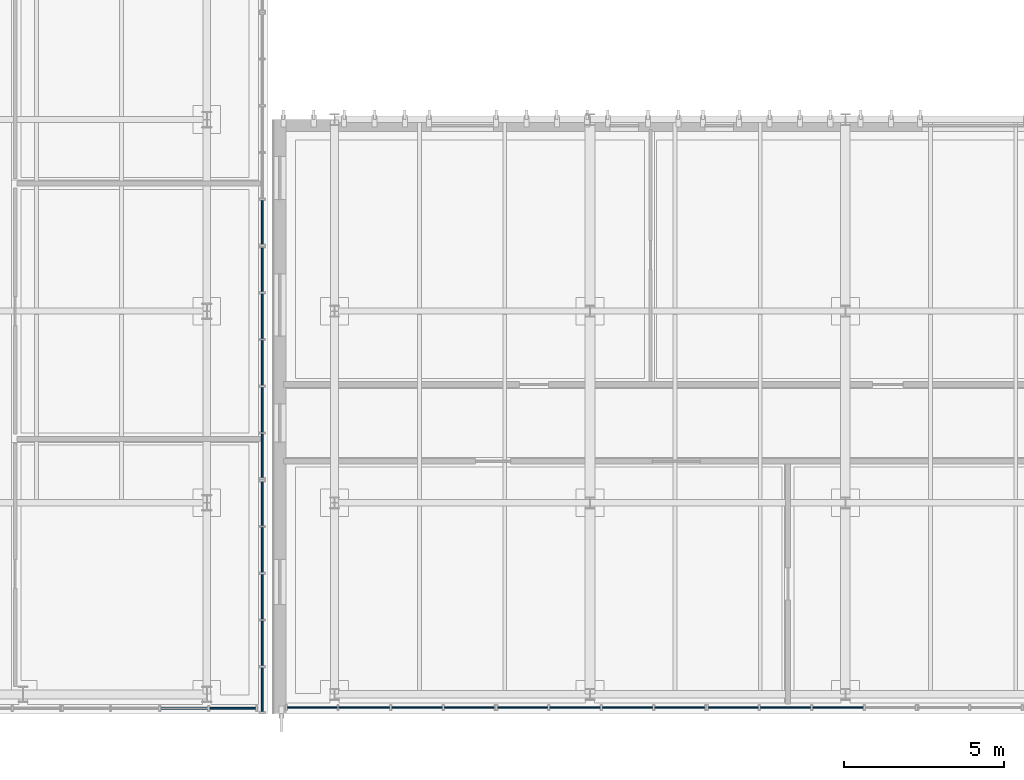
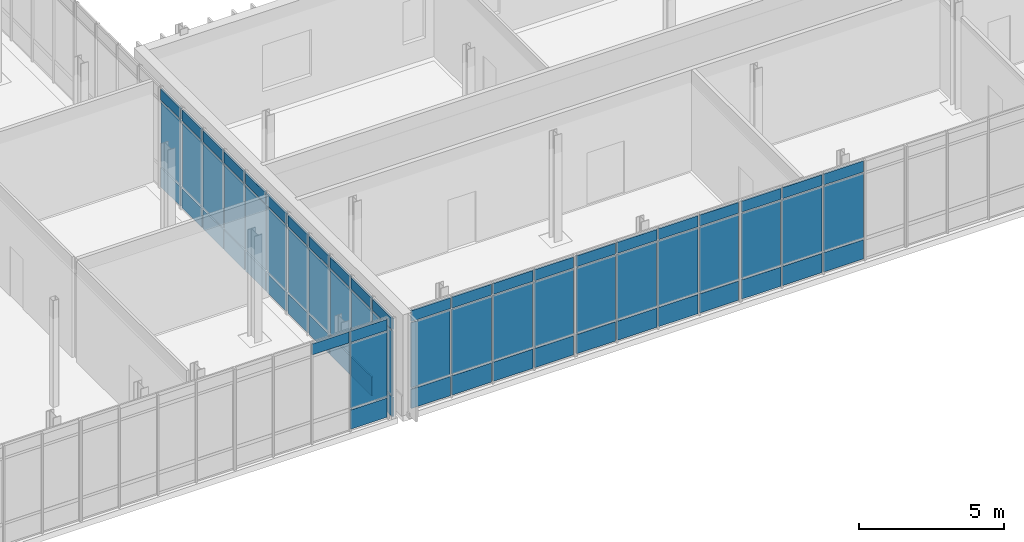
# One storey, part 54 of 100: 70 plates, 7 elements without a shape of their own.
"""IFC4 building model written with IfcOpenShell, lengths in metres."""

from ifc_helpers import new_model, si_unit, direction, frame, origin, origin_2d, place, context, subcontext, project, spatial, rectangle, extrude, material, layer, layer_set, type_object, element, aggregate, save


model = new_model("IFC4")

# Units and contexts
model_context = context("Model", 3, precision=1e-05, world=origin(), true_north=direction((0.0, 1.0)))
body_context = subcontext(model_context, "Body", "Model", "MODEL_VIEW")
ifc_project = project(units=[si_unit("LENGTHUNIT", "METRE"), si_unit("AREAUNIT", "SQUARE_METRE"), si_unit("VOLUMEUNIT", "CUBIC_METRE"), si_unit("PLANEANGLEUNIT", "RADIAN"), si_unit("MASSUNIT", "GRAM", prefix="KILO")], contexts=[model_context])

# Site, building, storey
site_placement = place(None, origin())
site = spatial("IfcSite", under=ifc_project, at=site_placement, CompositionType="ELEMENT")
building_placement = place(site_placement, origin())
building = spatial("IfcBuilding", under=site, at=building_placement, Name="Cymarion Research Institute", CompositionType="ELEMENT")
storey_placement = place(building_placement, frame((0.0, 0.0, 9.300048828125)))
storey = spatial("IfcBuildingStorey", under=building, at=storey_placement, Name="L02", CompositionType="ELEMENT", Elevation=9.300048828125)

# Curtain wall, plates
ifc_material_1 = material(Name="Anodised aluminium unitised curtain wall with Low-E glazing", Category="aluminium")
curtain_wall_type_1 = type_object("IfcCurtainWallType", Name="UNITISED CURTAIN WALL CW01 6590X4250", PredefinedType="NOTDEFINED", material=ifc_material_1)
curtain_wall_1_placement = place(storey_placement, origin())
curtain_wall_1 = element("IfcCurtainWall", 1, at=curtain_wall_1_placement, inside=storey, type_object=curtain_wall_type_1, Name="L02 V1 unitised curtain wall CW01 #60", PredefinedType="NOTDEFINED")
ifc_material_2 = material(Name="Insulated anodised aluminium spandrel panel", Category="aluminium")
ifc_layer_1 = layer(ifc_material_2, 0.06005859375)
ifc_layer_set_1 = layer_set([ifc_layer_1], Name="Insulated anodised aluminium spandrel panel")
plate_type_1 = type_object("IfcPlateType", Name="INSULATED ALUMINIUM SPANDREL PANEL SP01 60MM", PredefinedType="SHEET", material=ifc_layer_set_1)
plate_1_placement = place(storey_placement, frame((105.901123046875, 5.090087890625, 0.059814453125), z_axis=(0.0, 0.0, 1.0), x_axis=(1.0, 0.0, 0.0)))
plate_1 = element("IfcPlate", 2, at=plate_1_placement, type_object=plate_type_1, Name="CW01 panel 1.1", PredefinedType="SHEET", context=body_context, shape_type="SweptSolid", body=[
    extrude(rectangle(XDim=1.558349609375, YDim=0.06005859375, at=origin_2d()), origin(), (0.0, 0.0, 1.0), 0.81005859375),
])
plate_2_placement = place(storey_placement, frame((105.901123046875, 5.090087890625, 3.72998046875), z_axis=(0.0, 0.0, 1.0), x_axis=(1.0, 0.0, 0.0)))
plate_2 = element("IfcPlate", 3, at=plate_2_placement, type_object=plate_type_1, Name="CW01 panel 1.3", PredefinedType="SHEET", context=body_context, shape_type="SweptSolid", body=[
    extrude(rectangle(XDim=1.558349609375, YDim=0.06005859375, at=origin_2d()), origin(), (0.0, 0.0, 1.0), 0.4599609375),
])
plate_3_placement = place(storey_placement, frame((107.534423828125, 5.090087890625, 0.059814453125), z_axis=(0.0, 0.0, 1.0), x_axis=(1.0, 0.0, 0.0)))
plate_3 = element("IfcPlate", 4, at=plate_3_placement, type_object=plate_type_1, Name="CW01 panel 2.1", PredefinedType="SHEET", context=body_context, shape_type="SweptSolid", body=[
    extrude(rectangle(XDim=1.58837890625, YDim=0.06005859375, at=origin_2d()), origin(), (0.0, 0.0, 1.0), 0.81005859375),
])
plate_4_placement = place(storey_placement, frame((107.534423828125, 5.090087890625, 3.72998046875), z_axis=(0.0, 0.0, 1.0), x_axis=(1.0, 0.0, 0.0)))
plate_4 = element("IfcPlate", 5, at=plate_4_placement, type_object=plate_type_1, Name="CW01 panel 2.3", PredefinedType="SHEET", context=body_context, shape_type="SweptSolid", body=[
    extrude(rectangle(XDim=1.58837890625, YDim=0.06005859375, at=origin_2d()), origin(), (0.0, 0.0, 1.0), 0.4599609375),
])
plate_5_placement = place(storey_placement, frame((109.1826171875, 5.090087890625, 0.059814453125), z_axis=(0.0, 0.0, 1.0), x_axis=(1.0, 0.0, 0.0)))
plate_5 = element("IfcPlate", 6, at=plate_5_placement, type_object=plate_type_1, Name="CW01 panel 3.1", PredefinedType="SHEET", context=body_context, shape_type="SweptSolid", body=[
    extrude(rectangle(XDim=1.58837890625, YDim=0.06005859375, at=origin_2d()), origin(), (0.0, 0.0, 1.0), 0.81005859375),
])
plate_6_placement = place(storey_placement, frame((109.1826171875, 5.090087890625, 3.72998046875), z_axis=(0.0, 0.0, 1.0), x_axis=(1.0, 0.0, 0.0)))
plate_6 = element("IfcPlate", 7, at=plate_6_placement, type_object=plate_type_1, Name="CW01 panel 3.3", PredefinedType="SHEET", context=body_context, shape_type="SweptSolid", body=[
    extrude(rectangle(XDim=1.58837890625, YDim=0.06005859375, at=origin_2d()), origin(), (0.0, 0.0, 1.0), 0.4599609375),
])
plate_7_placement = place(storey_placement, frame((110.81591796875, 5.090087890625, 0.059814453125), z_axis=(0.0, 0.0, 1.0), x_axis=(1.0, 0.0, 0.0)))
plate_7 = element("IfcPlate", 8, at=plate_7_placement, type_object=plate_type_1, Name="CW01 panel 4.1", PredefinedType="SHEET", context=body_context, shape_type="SweptSolid", body=[
    extrude(rectangle(XDim=1.558349609375, YDim=0.06005859375, at=origin_2d()), origin(), (0.0, 0.0, 1.0), 0.81005859375),
])
plate_8_placement = place(storey_placement, frame((110.81591796875, 5.090087890625, 3.72998046875), z_axis=(0.0, 0.0, 1.0), x_axis=(1.0, 0.0, 0.0)))
plate_8 = element("IfcPlate", 9, at=plate_8_placement, type_object=plate_type_1, Name="CW01 panel 4.3", PredefinedType="SHEET", context=body_context, shape_type="SweptSolid", body=[
    extrude(rectangle(XDim=1.558349609375, YDim=0.06005859375, at=origin_2d()), origin(), (0.0, 0.0, 1.0), 0.4599609375),
])

curtain_wall_2_placement = place(storey_placement, origin())
curtain_wall_2 = element("IfcCurtainWall", 10, at=curtain_wall_2_placement, inside=storey, type_object=curtain_wall_type_1, Name="L02 V1 unitised curtain wall CW01 #61", PredefinedType="NOTDEFINED")
plate_9_placement = place(storey_placement, frame((112.494140625, 5.090087890625, 0.059814453125), z_axis=(0.0, 0.0, 1.0), x_axis=(1.0, 0.0, 0.0)))
plate_9 = element("IfcPlate", 11, at=plate_9_placement, type_object=plate_type_1, Name="CW01 panel 1.1", PredefinedType="SHEET", context=body_context, shape_type="SweptSolid", body=[
    extrude(rectangle(XDim=1.558349609375, YDim=0.06005859375, at=origin_2d()), origin(), (0.0, 0.0, 1.0), 0.81005859375),
])
plate_10_placement = place(storey_placement, frame((112.494140625, 5.090087890625, 3.72998046875), z_axis=(0.0, 0.0, 1.0), x_axis=(1.0, 0.0, 0.0)))
plate_10 = element("IfcPlate", 12, at=plate_10_placement, type_object=plate_type_1, Name="CW01 panel 1.3", PredefinedType="SHEET", context=body_context, shape_type="SweptSolid", body=[
    extrude(rectangle(XDim=1.558349609375, YDim=0.06005859375, at=origin_2d()), origin(), (0.0, 0.0, 1.0), 0.4599609375),
])
plate_11_placement = place(storey_placement, frame((114.12744140625, 5.090087890625, 0.059814453125), z_axis=(0.0, 0.0, 1.0), x_axis=(1.0, 0.0, 0.0)))
plate_11 = element("IfcPlate", 13, at=plate_11_placement, type_object=plate_type_1, Name="CW01 panel 2.1", PredefinedType="SHEET", context=body_context, shape_type="SweptSolid", body=[
    extrude(rectangle(XDim=1.58837890625, YDim=0.06005859375, at=origin_2d()), origin(), (0.0, 0.0, 1.0), 0.81005859375),
])
plate_12_placement = place(storey_placement, frame((114.12744140625, 5.090087890625, 3.72998046875), z_axis=(0.0, 0.0, 1.0), x_axis=(1.0, 0.0, 0.0)))
plate_12 = element("IfcPlate", 14, at=plate_12_placement, type_object=plate_type_1, Name="CW01 panel 2.3", PredefinedType="SHEET", context=body_context, shape_type="SweptSolid", body=[
    extrude(rectangle(XDim=1.58837890625, YDim=0.06005859375, at=origin_2d()), origin(), (0.0, 0.0, 1.0), 0.4599609375),
])
plate_13_placement = place(storey_placement, frame((115.77587890625, 5.090087890625, 0.059814453125), z_axis=(0.0, 0.0, 1.0), x_axis=(1.0, 0.0, 0.0)))
plate_13 = element("IfcPlate", 15, at=plate_13_placement, type_object=plate_type_1, Name="CW01 panel 3.1", PredefinedType="SHEET", context=body_context, shape_type="SweptSolid", body=[
    extrude(rectangle(XDim=1.58837890625, YDim=0.06005859375, at=origin_2d()), origin(), (0.0, 0.0, 1.0), 0.81005859375),
])
plate_14_placement = place(storey_placement, frame((115.77587890625, 5.090087890625, 3.72998046875), z_axis=(0.0, 0.0, 1.0), x_axis=(1.0, 0.0, 0.0)))
plate_14 = element("IfcPlate", 16, at=plate_14_placement, type_object=plate_type_1, Name="CW01 panel 3.3", PredefinedType="SHEET", context=body_context, shape_type="SweptSolid", body=[
    extrude(rectangle(XDim=1.58837890625, YDim=0.06005859375, at=origin_2d()), origin(), (0.0, 0.0, 1.0), 0.4599609375),
])
plate_15_placement = place(storey_placement, frame((117.4091796875, 5.090087890625, 0.059814453125), z_axis=(0.0, 0.0, 1.0), x_axis=(1.0, 0.0, 0.0)))
plate_15 = element("IfcPlate", 17, at=plate_15_placement, type_object=plate_type_1, Name="CW01 panel 4.1", PredefinedType="SHEET", context=body_context, shape_type="SweptSolid", body=[
    extrude(rectangle(XDim=1.558349609375, YDim=0.06005859375, at=origin_2d()), origin(), (0.0, 0.0, 1.0), 0.81005859375),
])
plate_16_placement = place(storey_placement, frame((117.4091796875, 5.090087890625, 3.72998046875), z_axis=(0.0, 0.0, 1.0), x_axis=(1.0, 0.0, 0.0)))
plate_16 = element("IfcPlate", 18, at=plate_16_placement, type_object=plate_type_1, Name="CW01 panel 4.3", PredefinedType="SHEET", context=body_context, shape_type="SweptSolid", body=[
    extrude(rectangle(XDim=1.558349609375, YDim=0.06005859375, at=origin_2d()), origin(), (0.0, 0.0, 1.0), 0.4599609375),
])

curtain_wall_3_placement = place(storey_placement, origin())
curtain_wall_3 = element("IfcCurtainWall", 19, at=curtain_wall_3_placement, inside=storey, type_object=curtain_wall_type_1, Name="L02 V1 unitised curtain wall CW01 #62", PredefinedType="NOTDEFINED")
plate_17_placement = place(storey_placement, frame((119.08740234375, 5.090087890625, 0.059814453125), z_axis=(0.0, 0.0, 1.0), x_axis=(1.0, 0.0, 0.0)))
plate_17 = element("IfcPlate", 20, at=plate_17_placement, type_object=plate_type_1, Name="CW01 panel 1.1", PredefinedType="SHEET", context=body_context, shape_type="SweptSolid", body=[
    extrude(rectangle(XDim=1.558349609375, YDim=0.06005859375, at=origin_2d()), origin(), (0.0, 0.0, 1.0), 0.81005859375),
])
plate_18_placement = place(storey_placement, frame((119.08740234375, 5.090087890625, 3.72998046875), z_axis=(0.0, 0.0, 1.0), x_axis=(1.0, 0.0, 0.0)))
plate_18 = element("IfcPlate", 21, at=plate_18_placement, type_object=plate_type_1, Name="CW01 panel 1.3", PredefinedType="SHEET", context=body_context, shape_type="SweptSolid", body=[
    extrude(rectangle(XDim=1.558349609375, YDim=0.06005859375, at=origin_2d()), origin(), (0.0, 0.0, 1.0), 0.4599609375),
])
plate_19_placement = place(storey_placement, frame((120.720703125, 5.090087890625, 0.059814453125), z_axis=(0.0, 0.0, 1.0), x_axis=(1.0, 0.0, 0.0)))
plate_19 = element("IfcPlate", 22, at=plate_19_placement, type_object=plate_type_1, Name="CW01 panel 2.1", PredefinedType="SHEET", context=body_context, shape_type="SweptSolid", body=[
    extrude(rectangle(XDim=1.58837890625, YDim=0.06005859375, at=origin_2d()), origin(), (0.0, 0.0, 1.0), 0.81005859375),
])
plate_20_placement = place(storey_placement, frame((120.720703125, 5.090087890625, 3.72998046875), z_axis=(0.0, 0.0, 1.0), x_axis=(1.0, 0.0, 0.0)))
plate_20 = element("IfcPlate", 23, at=plate_20_placement, type_object=plate_type_1, Name="CW01 panel 2.3", PredefinedType="SHEET", context=body_context, shape_type="SweptSolid", body=[
    extrude(rectangle(XDim=1.58837890625, YDim=0.06005859375, at=origin_2d()), origin(), (0.0, 0.0, 1.0), 0.4599609375),
])
plate_21_placement = place(storey_placement, frame((122.368896484375, 5.090087890625, 0.059814453125), z_axis=(0.0, 0.0, 1.0), x_axis=(1.0, 0.0, 0.0)))
plate_21 = element("IfcPlate", 24, at=plate_21_placement, type_object=plate_type_1, Name="CW01 panel 3.1", PredefinedType="SHEET", context=body_context, shape_type="SweptSolid", body=[
    extrude(rectangle(XDim=1.58837890625, YDim=0.06005859375, at=origin_2d()), origin(), (0.0, 0.0, 1.0), 0.81005859375),
])
plate_22_placement = place(storey_placement, frame((122.368896484375, 5.090087890625, 3.72998046875), z_axis=(0.0, 0.0, 1.0), x_axis=(1.0, 0.0, 0.0)))
plate_22 = element("IfcPlate", 25, at=plate_22_placement, type_object=plate_type_1, Name="CW01 panel 3.3", PredefinedType="SHEET", context=body_context, shape_type="SweptSolid", body=[
    extrude(rectangle(XDim=1.58837890625, YDim=0.06005859375, at=origin_2d()), origin(), (0.0, 0.0, 1.0), 0.4599609375),
])

curtain_wall_type_2 = type_object("IfcCurtainWallType", Name="UNITISED CURTAIN WALL CW07 6150X4250", PredefinedType="NOTDEFINED", material=ifc_material_1)
curtain_wall_4_placement = place(storey_placement, origin())
curtain_wall_4 = element("IfcCurtainWall", 26, at=curtain_wall_4_placement, inside=storey, type_object=curtain_wall_type_2, Name="L02 V2 unitised curtain wall CW07 #77", PredefinedType="NOTDEFINED")
plate_23_placement = place(storey_placement, frame((101.891845703125, 5.06005859375, 3.72998046875), z_axis=(0.0, 0.0, 1.0), x_axis=(1.0, 0.0, 0.0)))
plate_23 = element("IfcPlate", 27, at=plate_23_placement, type_object=plate_type_1, Name="CW07 panel 3.3", PredefinedType="SHEET", context=body_context, shape_type="SweptSolid", body=[
    extrude(rectangle(XDim=1.477294921875, YDim=0.06005859375, at=origin_2d()), origin(), (0.0, 0.0, 1.0), 0.4599609375),
])
plate_24_placement = place(storey_placement, frame((103.414306640625, 5.06005859375, 0.059814453125), z_axis=(0.0, 0.0, 1.0), x_axis=(1.0, 0.0, 0.0)))
plate_24 = element("IfcPlate", 28, at=plate_24_placement, type_object=plate_type_1, Name="CW07 panel 4.1", PredefinedType="SHEET", context=body_context, shape_type="SweptSolid", body=[
    extrude(rectangle(XDim=1.447265625, YDim=0.06005859375, at=origin_2d()), origin(), (0.0, 0.0, 1.0), 0.81005859375),
])
plate_25_placement = place(storey_placement, frame((103.414306640625, 5.06005859375, 3.72998046875), z_axis=(0.0, 0.0, 1.0), x_axis=(1.0, 0.0, 0.0)))
plate_25 = element("IfcPlate", 29, at=plate_25_placement, type_object=plate_type_1, Name="CW07 panel 4.3", PredefinedType="SHEET", context=body_context, shape_type="SweptSolid", body=[
    extrude(rectangle(XDim=1.447265625, YDim=0.06005859375, at=origin_2d()), origin(), (0.0, 0.0, 1.0), 0.4599609375),
])

curtain_wall_type_3 = type_object("IfcCurtainWallType", Name="UNITISED CURTAIN WALL CW08 7320X4250", PredefinedType="NOTDEFINED", material=ifc_material_1)
curtain_wall_5_placement = place(storey_placement, origin())
curtain_wall_5 = element("IfcCurtainWall", 30, at=curtain_wall_5_placement, inside=storey, type_object=curtain_wall_type_3, Name="L02 V2 unitised curtain wall CW08 #78", PredefinedType="NOTDEFINED")
plate_26_placement = place(storey_placement, frame((104.340087890625, 5.64697265625, 0.059814453125), z_axis=(0.0, 0.0, 1.0), x_axis=(0.0, 1.0, 0.0)))
plate_26 = element("IfcPlate", 31, at=plate_26_placement, type_object=plate_type_1, Name="CW08 panel 1.1", PredefinedType="SHEET", context=body_context, shape_type="SweptSolid", body=[
    extrude(rectangle(XDim=1.3740234375, YDim=0.06005859375, at=origin_2d()), origin(), (0.0, 0.0, 1.0), 0.81005859375),
])
plate_27_placement = place(storey_placement, frame((104.340087890625, 5.64697265625, 3.72998046875), z_axis=(0.0, 0.0, 1.0), x_axis=(0.0, 1.0, 0.0)))
plate_27 = element("IfcPlate", 32, at=plate_27_placement, type_object=plate_type_1, Name="CW08 panel 1.3", PredefinedType="SHEET", context=body_context, shape_type="SweptSolid", body=[
    extrude(rectangle(XDim=1.3740234375, YDim=0.06005859375, at=origin_2d()), origin(), (0.0, 0.0, 1.0), 0.4599609375),
])
plate_28_placement = place(storey_placement, frame((104.340087890625, 7.095947265625, 0.059814453125), z_axis=(0.0, 0.0, 1.0), x_axis=(0.0, 1.0, 0.0)))
plate_28 = element("IfcPlate", 33, at=plate_28_placement, type_object=plate_type_1, Name="CW08 panel 2.1", PredefinedType="SHEET", context=body_context, shape_type="SweptSolid", body=[
    extrude(rectangle(XDim=1.404052734375, YDim=0.06005859375, at=origin_2d()), origin(), (0.0, 0.0, 1.0), 0.81005859375),
])
plate_29_placement = place(storey_placement, frame((104.340087890625, 7.095947265625, 3.72998046875), z_axis=(0.0, 0.0, 1.0), x_axis=(0.0, 1.0, 0.0)))
plate_29 = element("IfcPlate", 34, at=plate_29_placement, type_object=plate_type_1, Name="CW08 panel 2.3", PredefinedType="SHEET", context=body_context, shape_type="SweptSolid", body=[
    extrude(rectangle(XDim=1.404052734375, YDim=0.06005859375, at=origin_2d()), origin(), (0.0, 0.0, 1.0), 0.4599609375),
])
plate_30_placement = place(storey_placement, frame((104.340087890625, 8.56005859375, 0.059814453125), z_axis=(0.0, 0.0, 1.0), x_axis=(0.0, 1.0, 0.0)))
plate_30 = element("IfcPlate", 35, at=plate_30_placement, type_object=plate_type_1, Name="CW08 panel 3.1", PredefinedType="SHEET", context=body_context, shape_type="SweptSolid", body=[
    extrude(rectangle(XDim=1.404052734375, YDim=0.06005859375, at=origin_2d()), origin(), (0.0, 0.0, 1.0), 0.81005859375),
])
plate_31_placement = place(storey_placement, frame((104.340087890625, 8.56005859375, 3.72998046875), z_axis=(0.0, 0.0, 1.0), x_axis=(0.0, 1.0, 0.0)))
plate_31 = element("IfcPlate", 36, at=plate_31_placement, type_object=plate_type_1, Name="CW08 panel 3.3", PredefinedType="SHEET", context=body_context, shape_type="SweptSolid", body=[
    extrude(rectangle(XDim=1.404052734375, YDim=0.06005859375, at=origin_2d()), origin(), (0.0, 0.0, 1.0), 0.4599609375),
])
plate_32_placement = place(storey_placement, frame((104.340087890625, 10.02392578125, 0.059814453125), z_axis=(0.0, 0.0, 1.0), x_axis=(0.0, 1.0, 0.0)))
plate_32 = element("IfcPlate", 37, at=plate_32_placement, type_object=plate_type_1, Name="CW08 panel 4.1", PredefinedType="SHEET", context=body_context, shape_type="SweptSolid", body=[
    extrude(rectangle(XDim=1.404052734375, YDim=0.06005859375, at=origin_2d()), origin(), (0.0, 0.0, 1.0), 0.81005859375),
])
plate_33_placement = place(storey_placement, frame((104.340087890625, 10.02392578125, 3.72998046875), z_axis=(0.0, 0.0, 1.0), x_axis=(0.0, 1.0, 0.0)))
plate_33 = element("IfcPlate", 38, at=plate_33_placement, type_object=plate_type_1, Name="CW08 panel 4.3", PredefinedType="SHEET", context=body_context, shape_type="SweptSolid", body=[
    extrude(rectangle(XDim=1.404052734375, YDim=0.06005859375, at=origin_2d()), origin(), (0.0, 0.0, 1.0), 0.4599609375),
])
plate_34_placement = place(storey_placement, frame((104.340087890625, 11.472900390625, 0.059814453125), z_axis=(0.0, 0.0, 1.0), x_axis=(0.0, 1.0, 0.0)))
plate_34 = element("IfcPlate", 39, at=plate_34_placement, type_object=plate_type_1, Name="CW08 panel 5.1", PredefinedType="SHEET", context=body_context, shape_type="SweptSolid", body=[
    extrude(rectangle(XDim=1.3740234375, YDim=0.06005859375, at=origin_2d()), origin(), (0.0, 0.0, 1.0), 0.81005859375),
])
plate_35_placement = place(storey_placement, frame((104.340087890625, 11.472900390625, 3.72998046875), z_axis=(0.0, 0.0, 1.0), x_axis=(0.0, 1.0, 0.0)))
plate_35 = element("IfcPlate", 40, at=plate_35_placement, type_object=plate_type_1, Name="CW08 panel 5.3", PredefinedType="SHEET", context=body_context, shape_type="SweptSolid", body=[
    extrude(rectangle(XDim=1.3740234375, YDim=0.06005859375, at=origin_2d()), origin(), (0.0, 0.0, 1.0), 0.4599609375),
])

curtain_wall_6_placement = place(storey_placement, origin())
curtain_wall_6 = element("IfcCurtainWall", 41, at=curtain_wall_6_placement, inside=storey, type_object=curtain_wall_type_3, Name="L02 V2 unitised curtain wall CW08 #79", PredefinedType="NOTDEFINED")
plate_36_placement = place(storey_placement, frame((104.340087890625, 12.967041015625, 0.059814453125), z_axis=(0.0, 0.0, 1.0), x_axis=(0.0, 1.0, 0.0)))
plate_36 = element("IfcPlate", 42, at=plate_36_placement, type_object=plate_type_1, Name="CW08 panel 1.1", PredefinedType="SHEET", context=body_context, shape_type="SweptSolid", body=[
    extrude(rectangle(XDim=1.3740234375, YDim=0.06005859375, at=origin_2d()), origin(), (0.0, 0.0, 1.0), 0.81005859375),
])
plate_37_placement = place(storey_placement, frame((104.340087890625, 12.967041015625, 3.72998046875), z_axis=(0.0, 0.0, 1.0), x_axis=(0.0, 1.0, 0.0)))
plate_37 = element("IfcPlate", 43, at=plate_37_placement, type_object=plate_type_1, Name="CW08 panel 1.3", PredefinedType="SHEET", context=body_context, shape_type="SweptSolid", body=[
    extrude(rectangle(XDim=1.3740234375, YDim=0.06005859375, at=origin_2d()), origin(), (0.0, 0.0, 1.0), 0.4599609375),
])
plate_38_placement = place(storey_placement, frame((104.340087890625, 14.416015625, 0.059814453125), z_axis=(0.0, 0.0, 1.0), x_axis=(0.0, 1.0, 0.0)))
plate_38 = element("IfcPlate", 44, at=plate_38_placement, type_object=plate_type_1, Name="CW08 panel 2.1", PredefinedType="SHEET", context=body_context, shape_type="SweptSolid", body=[
    extrude(rectangle(XDim=1.404052734375, YDim=0.06005859375, at=origin_2d()), origin(), (0.0, 0.0, 1.0), 0.81005859375),
])
plate_39_placement = place(storey_placement, frame((104.340087890625, 14.416015625, 3.72998046875), z_axis=(0.0, 0.0, 1.0), x_axis=(0.0, 1.0, 0.0)))
plate_39 = element("IfcPlate", 45, at=plate_39_placement, type_object=plate_type_1, Name="CW08 panel 2.3", PredefinedType="SHEET", context=body_context, shape_type="SweptSolid", body=[
    extrude(rectangle(XDim=1.404052734375, YDim=0.06005859375, at=origin_2d()), origin(), (0.0, 0.0, 1.0), 0.4599609375),
])
plate_40_placement = place(storey_placement, frame((104.340087890625, 15.8798828125, 0.059814453125), z_axis=(0.0, 0.0, 1.0), x_axis=(0.0, 1.0, 0.0)))
plate_40 = element("IfcPlate", 46, at=plate_40_placement, type_object=plate_type_1, Name="CW08 panel 3.1", PredefinedType="SHEET", context=body_context, shape_type="SweptSolid", body=[
    extrude(rectangle(XDim=1.404052734375, YDim=0.06005859375, at=origin_2d()), origin(), (0.0, 0.0, 1.0), 0.81005859375),
])
plate_41_placement = place(storey_placement, frame((104.340087890625, 15.8798828125, 3.72998046875), z_axis=(0.0, 0.0, 1.0), x_axis=(0.0, 1.0, 0.0)))
plate_41 = element("IfcPlate", 47, at=plate_41_placement, type_object=plate_type_1, Name="CW08 panel 3.3", PredefinedType="SHEET", context=body_context, shape_type="SweptSolid", body=[
    extrude(rectangle(XDim=1.404052734375, YDim=0.06005859375, at=origin_2d()), origin(), (0.0, 0.0, 1.0), 0.4599609375),
])
plate_42_placement = place(storey_placement, frame((104.340087890625, 17.343994140625, 0.059814453125), z_axis=(0.0, 0.0, 1.0), x_axis=(0.0, 1.0, 0.0)))
plate_42 = element("IfcPlate", 48, at=plate_42_placement, type_object=plate_type_1, Name="CW08 panel 4.1", PredefinedType="SHEET", context=body_context, shape_type="SweptSolid", body=[
    extrude(rectangle(XDim=1.404052734375, YDim=0.06005859375, at=origin_2d()), origin(), (0.0, 0.0, 1.0), 0.81005859375),
])
plate_43_placement = place(storey_placement, frame((104.340087890625, 17.343994140625, 3.72998046875), z_axis=(0.0, 0.0, 1.0), x_axis=(0.0, 1.0, 0.0)))
plate_43 = element("IfcPlate", 49, at=plate_43_placement, type_object=plate_type_1, Name="CW08 panel 4.3", PredefinedType="SHEET", context=body_context, shape_type="SweptSolid", body=[
    extrude(rectangle(XDim=1.404052734375, YDim=0.06005859375, at=origin_2d()), origin(), (0.0, 0.0, 1.0), 0.4599609375),
])
plate_44_placement = place(storey_placement, frame((104.340087890625, 18.79296875, 0.059814453125), z_axis=(0.0, 0.0, 1.0), x_axis=(0.0, 1.0, 0.0)))
plate_44 = element("IfcPlate", 50, at=plate_44_placement, type_object=plate_type_1, Name="CW08 panel 5.1", PredefinedType="SHEET", context=body_context, shape_type="SweptSolid", body=[
    extrude(rectangle(XDim=1.3740234375, YDim=0.06005859375, at=origin_2d()), origin(), (0.0, 0.0, 1.0), 0.81005859375),
])
plate_45_placement = place(storey_placement, frame((104.340087890625, 18.79296875, 3.72998046875), z_axis=(0.0, 0.0, 1.0), x_axis=(0.0, 1.0, 0.0)))
plate_45 = element("IfcPlate", 51, at=plate_45_placement, type_object=plate_type_1, Name="CW08 panel 5.3", PredefinedType="SHEET", context=body_context, shape_type="SweptSolid", body=[
    extrude(rectangle(XDim=1.3740234375, YDim=0.06005859375, at=origin_2d()), origin(), (0.0, 0.0, 1.0), 0.4599609375),
])

curtain_wall_7_placement = place(storey_placement, origin())
curtain_wall_7 = element("IfcCurtainWall", 52, at=curtain_wall_7_placement, inside=storey, type_object=curtain_wall_type_3, Name="L02 V2 unitised curtain wall CW08 #80", PredefinedType="NOTDEFINED")
plate_46_placement = place(storey_placement, frame((104.340087890625, 20.287109375, 0.059814453125), z_axis=(0.0, 0.0, 1.0), x_axis=(0.0, 1.0, 0.0)))
plate_46 = element("IfcPlate", 53, at=plate_46_placement, type_object=plate_type_1, Name="CW08 panel 1.1", PredefinedType="SHEET", context=body_context, shape_type="SweptSolid", body=[
    extrude(rectangle(XDim=1.3740234375, YDim=0.06005859375, at=origin_2d()), origin(), (0.0, 0.0, 1.0), 0.81005859375),
])
plate_47_placement = place(storey_placement, frame((104.340087890625, 20.287109375, 3.72998046875), z_axis=(0.0, 0.0, 1.0), x_axis=(0.0, 1.0, 0.0)))
plate_47 = element("IfcPlate", 54, at=plate_47_placement, type_object=plate_type_1, Name="CW08 panel 1.3", PredefinedType="SHEET", context=body_context, shape_type="SweptSolid", body=[
    extrude(rectangle(XDim=1.3740234375, YDim=0.06005859375, at=origin_2d()), origin(), (0.0, 0.0, 1.0), 0.4599609375),
])

# Plate
ifc_material_3 = material(Name="Low-E double solar-control glazing", Category="glass")
ifc_layer_2 = layer(ifc_material_3, 0.035888671875)
ifc_layer_set_2 = layer_set([ifc_layer_2], Name="Low-E double solar-control glazing")
plate_type_2 = type_object("IfcPlateType", Name="SOLAR CONTROL GLAZED VISION PANEL GP01 36MM", PredefinedType="CURTAIN_PANEL", material=ifc_layer_set_2)
plate_48_placement = place(storey_placement, frame((105.901123046875, 5.090087890625, 0.93017578125), z_axis=(0.0, 0.0, 1.0), x_axis=(1.0, 0.0, 0.0)))
plate_48 = element("IfcPlate", 55, at=plate_48_placement, type_object=plate_type_2, Name="CW01 panel 1.2", PredefinedType="CURTAIN_PANEL", context=body_context, shape_type="SweptSolid", body=[
    extrude(rectangle(XDim=1.558349609375, YDim=0.035888671875, at=origin_2d()), origin(), (0.0, 0.0, 1.0), 2.739990234375),
])

plate_49_placement = place(storey_placement, frame((107.534423828125, 5.090087890625, 0.93017578125), z_axis=(0.0, 0.0, 1.0), x_axis=(1.0, 0.0, 0.0)))
plate_49 = element("IfcPlate", 56, at=plate_49_placement, type_object=plate_type_2, Name="CW01 panel 2.2", PredefinedType="CURTAIN_PANEL", context=body_context, shape_type="SweptSolid", body=[
    extrude(rectangle(XDim=1.58837890625, YDim=0.035888671875, at=origin_2d()), origin(), (0.0, 0.0, 1.0), 2.739990234375),
])

plate_50_placement = place(storey_placement, frame((109.1826171875, 5.090087890625, 0.93017578125), z_axis=(0.0, 0.0, 1.0), x_axis=(1.0, 0.0, 0.0)))
plate_50 = element("IfcPlate", 57, at=plate_50_placement, type_object=plate_type_2, Name="CW01 panel 3.2", PredefinedType="CURTAIN_PANEL", context=body_context, shape_type="SweptSolid", body=[
    extrude(rectangle(XDim=1.58837890625, YDim=0.035888671875, at=origin_2d()), origin(), (0.0, 0.0, 1.0), 2.739990234375),
])

plate_51_placement = place(storey_placement, frame((110.81591796875, 5.090087890625, 0.93017578125), z_axis=(0.0, 0.0, 1.0), x_axis=(1.0, 0.0, 0.0)))
plate_51 = element("IfcPlate", 58, at=plate_51_placement, type_object=plate_type_2, Name="CW01 panel 4.2", PredefinedType="CURTAIN_PANEL", context=body_context, shape_type="SweptSolid", body=[
    extrude(rectangle(XDim=1.558349609375, YDim=0.035888671875, at=origin_2d()), origin(), (0.0, 0.0, 1.0), 2.739990234375),
])

aggregate(curtain_wall_1, [plate_1, plate_48, plate_2, plate_3, plate_49, plate_4, plate_5, plate_50, plate_6, plate_7, plate_51, plate_8])

plate_52_placement = place(storey_placement, frame((112.494140625, 5.090087890625, 0.93017578125), z_axis=(0.0, 0.0, 1.0), x_axis=(1.0, 0.0, 0.0)))
plate_52 = element("IfcPlate", 59, at=plate_52_placement, type_object=plate_type_2, Name="CW01 panel 1.2", PredefinedType="CURTAIN_PANEL", context=body_context, shape_type="SweptSolid", body=[
    extrude(rectangle(XDim=1.558349609375, YDim=0.035888671875, at=origin_2d()), origin(), (0.0, 0.0, 1.0), 2.739990234375),
])

plate_53_placement = place(storey_placement, frame((114.12744140625, 5.090087890625, 0.93017578125), z_axis=(0.0, 0.0, 1.0), x_axis=(1.0, 0.0, 0.0)))
plate_53 = element("IfcPlate", 60, at=plate_53_placement, type_object=plate_type_2, Name="CW01 panel 2.2", PredefinedType="CURTAIN_PANEL", context=body_context, shape_type="SweptSolid", body=[
    extrude(rectangle(XDim=1.58837890625, YDim=0.035888671875, at=origin_2d()), origin(), (0.0, 0.0, 1.0), 2.739990234375),
])

plate_54_placement = place(storey_placement, frame((115.77587890625, 5.090087890625, 0.93017578125), z_axis=(0.0, 0.0, 1.0), x_axis=(1.0, 0.0, 0.0)))
plate_54 = element("IfcPlate", 61, at=plate_54_placement, type_object=plate_type_2, Name="CW01 panel 3.2", PredefinedType="CURTAIN_PANEL", context=body_context, shape_type="SweptSolid", body=[
    extrude(rectangle(XDim=1.58837890625, YDim=0.035888671875, at=origin_2d()), origin(), (0.0, 0.0, 1.0), 2.739990234375),
])

plate_55_placement = place(storey_placement, frame((117.4091796875, 5.090087890625, 0.93017578125), z_axis=(0.0, 0.0, 1.0), x_axis=(1.0, 0.0, 0.0)))
plate_55 = element("IfcPlate", 62, at=plate_55_placement, type_object=plate_type_2, Name="CW01 panel 4.2", PredefinedType="CURTAIN_PANEL", context=body_context, shape_type="SweptSolid", body=[
    extrude(rectangle(XDim=1.558349609375, YDim=0.035888671875, at=origin_2d()), origin(), (0.0, 0.0, 1.0), 2.739990234375),
])

aggregate(curtain_wall_2, [plate_9, plate_52, plate_10, plate_11, plate_53, plate_12, plate_13, plate_54, plate_14, plate_15, plate_55, plate_16])

plate_56_placement = place(storey_placement, frame((119.08740234375, 5.090087890625, 0.93017578125), z_axis=(0.0, 0.0, 1.0), x_axis=(1.0, 0.0, 0.0)))
plate_56 = element("IfcPlate", 63, at=plate_56_placement, type_object=plate_type_2, Name="CW01 panel 1.2", PredefinedType="CURTAIN_PANEL", context=body_context, shape_type="SweptSolid", body=[
    extrude(rectangle(XDim=1.558349609375, YDim=0.035888671875, at=origin_2d()), origin(), (0.0, 0.0, 1.0), 2.739990234375),
])

plate_57_placement = place(storey_placement, frame((120.720703125, 5.090087890625, 0.93017578125), z_axis=(0.0, 0.0, 1.0), x_axis=(1.0, 0.0, 0.0)))
plate_57 = element("IfcPlate", 64, at=plate_57_placement, type_object=plate_type_2, Name="CW01 panel 2.2", PredefinedType="CURTAIN_PANEL", context=body_context, shape_type="SweptSolid", body=[
    extrude(rectangle(XDim=1.58837890625, YDim=0.035888671875, at=origin_2d()), origin(), (0.0, 0.0, 1.0), 2.739990234375),
])

plate_58_placement = place(storey_placement, frame((122.368896484375, 5.090087890625, 0.93017578125), z_axis=(0.0, 0.0, 1.0), x_axis=(1.0, 0.0, 0.0)))
plate_58 = element("IfcPlate", 65, at=plate_58_placement, type_object=plate_type_2, Name="CW01 panel 3.2", PredefinedType="CURTAIN_PANEL", context=body_context, shape_type="SweptSolid", body=[
    extrude(rectangle(XDim=1.58837890625, YDim=0.035888671875, at=origin_2d()), origin(), (0.0, 0.0, 1.0), 2.739990234375),
])

aggregate(curtain_wall_3, [plate_17, plate_56, plate_18, plate_19, plate_57, plate_20, plate_21, plate_58, plate_22])

plate_59_placement = place(storey_placement, frame((103.414306640625, 5.06005859375, 0.93017578125), z_axis=(0.0, 0.0, 1.0), x_axis=(1.0, 0.0, 0.0)))
plate_59 = element("IfcPlate", 66, at=plate_59_placement, type_object=plate_type_2, Name="CW07 panel 4.2", PredefinedType="CURTAIN_PANEL", context=body_context, shape_type="SweptSolid", body=[
    extrude(rectangle(XDim=1.447265625, YDim=0.035888671875, at=origin_2d()), origin(), (0.0, 0.0, 1.0), 2.739990234375),
])

aggregate(curtain_wall_4, [plate_23, plate_24, plate_59, plate_25])

plate_60_placement = place(storey_placement, frame((104.340087890625, 5.64697265625, 0.93017578125), z_axis=(0.0, 0.0, 1.0), x_axis=(0.0, 1.0, 0.0)))
plate_60 = element("IfcPlate", 67, at=plate_60_placement, type_object=plate_type_2, Name="CW08 panel 1.2", PredefinedType="CURTAIN_PANEL", context=body_context, shape_type="SweptSolid", body=[
    extrude(rectangle(XDim=1.3740234375, YDim=0.035888671875, at=origin_2d()), origin(), (0.0, 0.0, 1.0), 2.739990234375),
])

plate_61_placement = place(storey_placement, frame((104.340087890625, 7.095947265625, 0.93017578125), z_axis=(0.0, 0.0, 1.0), x_axis=(0.0, 1.0, 0.0)))
plate_61 = element("IfcPlate", 68, at=plate_61_placement, type_object=plate_type_2, Name="CW08 panel 2.2", PredefinedType="CURTAIN_PANEL", context=body_context, shape_type="SweptSolid", body=[
    extrude(rectangle(XDim=1.404052734375, YDim=0.035888671875, at=origin_2d()), origin(), (0.0, 0.0, 1.0), 2.739990234375),
])

plate_62_placement = place(storey_placement, frame((104.340087890625, 8.56005859375, 0.93017578125), z_axis=(0.0, 0.0, 1.0), x_axis=(0.0, 1.0, 0.0)))
plate_62 = element("IfcPlate", 69, at=plate_62_placement, type_object=plate_type_2, Name="CW08 panel 3.2", PredefinedType="CURTAIN_PANEL", context=body_context, shape_type="SweptSolid", body=[
    extrude(rectangle(XDim=1.404052734375, YDim=0.035888671875, at=origin_2d()), origin(), (0.0, 0.0, 1.0), 2.739990234375),
])

plate_63_placement = place(storey_placement, frame((104.340087890625, 10.02392578125, 0.93017578125), z_axis=(0.0, 0.0, 1.0), x_axis=(0.0, 1.0, 0.0)))
plate_63 = element("IfcPlate", 70, at=plate_63_placement, type_object=plate_type_2, Name="CW08 panel 4.2", PredefinedType="CURTAIN_PANEL", context=body_context, shape_type="SweptSolid", body=[
    extrude(rectangle(XDim=1.404052734375, YDim=0.035888671875, at=origin_2d()), origin(), (0.0, 0.0, 1.0), 2.739990234375),
])

plate_64_placement = place(storey_placement, frame((104.340087890625, 11.472900390625, 0.93017578125), z_axis=(0.0, 0.0, 1.0), x_axis=(0.0, 1.0, 0.0)))
plate_64 = element("IfcPlate", 71, at=plate_64_placement, type_object=plate_type_2, Name="CW08 panel 5.2", PredefinedType="CURTAIN_PANEL", context=body_context, shape_type="SweptSolid", body=[
    extrude(rectangle(XDim=1.3740234375, YDim=0.035888671875, at=origin_2d()), origin(), (0.0, 0.0, 1.0), 2.739990234375),
])

aggregate(curtain_wall_5, [plate_26, plate_60, plate_27, plate_28, plate_61, plate_29, plate_30, plate_62, plate_31, plate_32, plate_63, plate_33, plate_34, plate_64, plate_35])

plate_65_placement = place(storey_placement, frame((104.340087890625, 12.967041015625, 0.93017578125), z_axis=(0.0, 0.0, 1.0), x_axis=(0.0, 1.0, 0.0)))
plate_65 = element("IfcPlate", 72, at=plate_65_placement, type_object=plate_type_2, Name="CW08 panel 1.2", PredefinedType="CURTAIN_PANEL", context=body_context, shape_type="SweptSolid", body=[
    extrude(rectangle(XDim=1.3740234375, YDim=0.035888671875, at=origin_2d()), origin(), (0.0, 0.0, 1.0), 2.739990234375),
])

plate_66_placement = place(storey_placement, frame((104.340087890625, 14.416015625, 0.93017578125), z_axis=(0.0, 0.0, 1.0), x_axis=(0.0, 1.0, 0.0)))
plate_66 = element("IfcPlate", 73, at=plate_66_placement, type_object=plate_type_2, Name="CW08 panel 2.2", PredefinedType="CURTAIN_PANEL", context=body_context, shape_type="SweptSolid", body=[
    extrude(rectangle(XDim=1.404052734375, YDim=0.035888671875, at=origin_2d()), origin(), (0.0, 0.0, 1.0), 2.739990234375),
])

plate_67_placement = place(storey_placement, frame((104.340087890625, 15.8798828125, 0.93017578125), z_axis=(0.0, 0.0, 1.0), x_axis=(0.0, 1.0, 0.0)))
plate_67 = element("IfcPlate", 74, at=plate_67_placement, type_object=plate_type_2, Name="CW08 panel 3.2", PredefinedType="CURTAIN_PANEL", context=body_context, shape_type="SweptSolid", body=[
    extrude(rectangle(XDim=1.404052734375, YDim=0.035888671875, at=origin_2d()), origin(), (0.0, 0.0, 1.0), 2.739990234375),
])

plate_68_placement = place(storey_placement, frame((104.340087890625, 17.343994140625, 0.93017578125), z_axis=(0.0, 0.0, 1.0), x_axis=(0.0, 1.0, 0.0)))
plate_68 = element("IfcPlate", 75, at=plate_68_placement, type_object=plate_type_2, Name="CW08 panel 4.2", PredefinedType="CURTAIN_PANEL", context=body_context, shape_type="SweptSolid", body=[
    extrude(rectangle(XDim=1.404052734375, YDim=0.035888671875, at=origin_2d()), origin(), (0.0, 0.0, 1.0), 2.739990234375),
])

plate_69_placement = place(storey_placement, frame((104.340087890625, 18.79296875, 0.93017578125), z_axis=(0.0, 0.0, 1.0), x_axis=(0.0, 1.0, 0.0)))
plate_69 = element("IfcPlate", 76, at=plate_69_placement, type_object=plate_type_2, Name="CW08 panel 5.2", PredefinedType="CURTAIN_PANEL", context=body_context, shape_type="SweptSolid", body=[
    extrude(rectangle(XDim=1.3740234375, YDim=0.035888671875, at=origin_2d()), origin(), (0.0, 0.0, 1.0), 2.739990234375),
])

aggregate(curtain_wall_6, [plate_36, plate_65, plate_37, plate_38, plate_66, plate_39, plate_40, plate_67, plate_41, plate_42, plate_68, plate_43, plate_44, plate_69, plate_45])

plate_70_placement = place(storey_placement, frame((104.340087890625, 20.287109375, 0.93017578125), z_axis=(0.0, 0.0, 1.0), x_axis=(0.0, 1.0, 0.0)))
plate_70 = element("IfcPlate", 77, at=plate_70_placement, type_object=plate_type_2, Name="CW08 panel 1.2", PredefinedType="CURTAIN_PANEL", context=body_context, shape_type="SweptSolid", body=[
    extrude(rectangle(XDim=1.3740234375, YDim=0.035888671875, at=origin_2d()), origin(), (0.0, 0.0, 1.0), 2.739990234375),
])

aggregate(curtain_wall_7, [plate_46, plate_70, plate_47])

save(model, "model.ifc")
